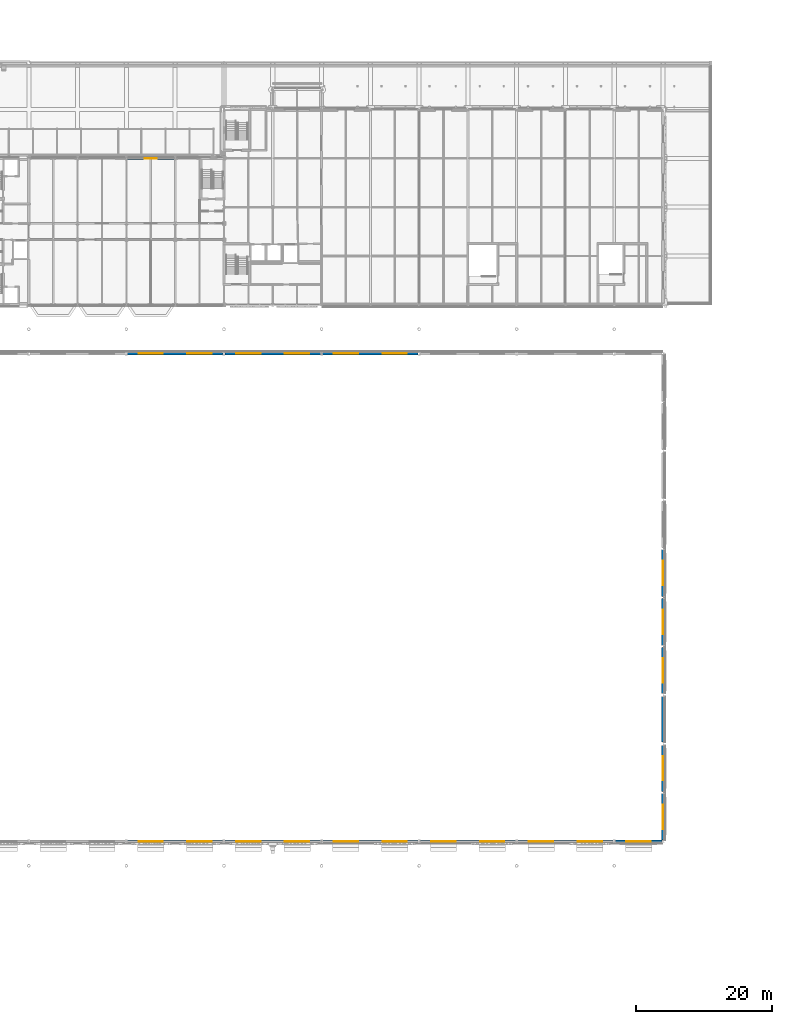
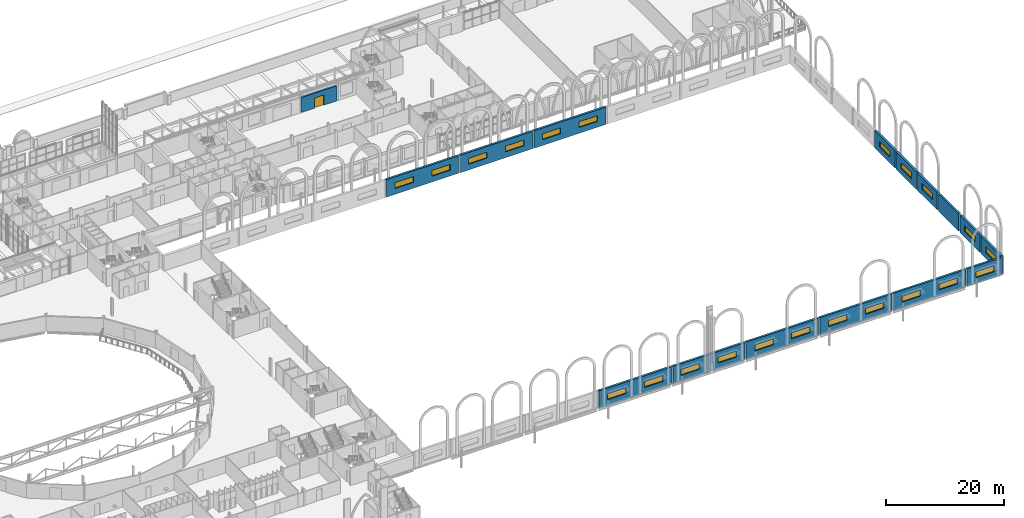
# One storey, part 81 of 143: 22 windows, 16 walls, 1 door, 23 openings.
"""IFC4 building model written with IfcOpenShell, lengths in metres."""

from ifc_helpers import new_model, si_unit, direction, frame, frame_2d, origin, place, context, subcontext, project, spatial, rectangle, extrude, material, layer, layer_set, type_object, element, fill, save


model = new_model("IFC4")

# Units and contexts
model_context = context("Model", 3, precision=1e-05, world=origin(), true_north=direction((0.0, 1.0)))
body_context = subcontext(model_context, "Body", "Model", "MODEL_VIEW")
ifc_project = project(units=[si_unit("LENGTHUNIT", "METRE"), si_unit("AREAUNIT", "SQUARE_METRE"), si_unit("VOLUMEUNIT", "CUBIC_METRE"), si_unit("PLANEANGLEUNIT", "RADIAN"), si_unit("MASSUNIT", "GRAM", prefix="KILO")], contexts=[model_context])

# Site, building, storey
site_placement = place(None, origin())
site = spatial("IfcSite", under=ifc_project, at=site_placement, CompositionType="ELEMENT")
building_placement = place(site_placement, origin())
building = spatial("IfcBuilding", under=site, at=building_placement, Name="Kupolbacken Congress Centre", CompositionType="ELEMENT")
storey_placement = place(building_placement, frame((0.0, 0.0, 7.199951171875)))
storey = spatial("IfcBuildingStorey", under=building, at=storey_placement, Name="L02", CompositionType="ELEMENT", Elevation=7.199951171875)

# Wall, opening, door
ifc_material_1 = material(Name="Limestone", Category="masonry")
ifc_layer_1 = layer(ifc_material_1, 0.1201171875)
ifc_material_2 = material(Name="Air cavity", Category="air")
ifc_layer_2 = layer(ifc_material_2, 0.0400390625, ventilated=True)
ifc_material_3 = material(Name="Mineral wool", Category="insulation")
ifc_layer_3 = layer(ifc_material_3, 0.169921875)
ifc_material_4 = material(Name="Steel studs", Category="metal")
ifc_layer_4 = layer(ifc_material_4, 0.050048828125)
ifc_layer_set_1 = layer_set([ifc_layer_1, ifc_layer_2, ifc_layer_3, ifc_layer_4], Name="Limestone / Mineral wool / Steel studs")
wall_type_1 = type_object("IfcWallType", Name="EW03 external cavity wall 380", PredefinedType="SOLIDWALL", material=ifc_layer_set_1)
wall_1_placement = place(storey_placement, frame((129.446533203125, 144.0, 0.0), z_axis=(0.0, 0.0, 1.0), x_axis=(-1.0, 0.0, 0.0)))
wall_1 = element("IfcWall", 1, at=wall_1_placement, inside=storey, type_object=wall_type_1, Name="E/T/N/L02/015", PredefinedType="SOLIDWALL", context=body_context, shape_type="SweptSolid", body=[
    extrude(rectangle(XDim=6.89306640625, YDim=0.3798828125, at=frame_2d((3.446533203125, 0.0))), origin(), (0.0, 0.0, 1.0), 3.1201171875),
])
opening_1_placement = place(wall_1_placement, frame((2.54638671875, 0.0, 0.0)))
opening_1 = element("IfcOpeningElement", 2, at=opening_1_placement, cuts=wall_1, Name="Opening D44", PredefinedType="OPENING", context=body_context, shape_type="SweptSolid", body=[
    extrude(rectangle(XDim=1.800048828125, YDim=2.10009765625, at=frame_2d((0.89990234375, 1.050048828125))), frame((0.0, 0.199951171875, 0.0), z_axis=(0.0, -1.0, 0.0), x_axis=(1.0, 0.0, 0.0)), (0.0, 0.0, 1.0), 0.39990234375),
])
ifc_material_5 = material(Name="Steel fire door leaf", Category="steel")
door_type = type_object("IfcDoorType", Name="D44 stair door 1800x2100", OperationType="DOUBLE_DOOR_SINGLE_SWING", PredefinedType="DOOR", material=ifc_material_5)
door_placement = place(opening_1_placement, frame((1.800048828125, 0.0, 0.0), z_axis=(0.0, 0.0, 1.0), x_axis=(-1.0, 0.0, 0.0)))
door = element("IfcDoor", 3, at=door_placement, inside=storey, type_object=door_type, Name="E/T/N/L02/015/DXTS4", OperationType="DOUBLE_DOOR_SINGLE_SWING", OverallHeight=2.10009765625, OverallWidth=1.800048828125, PredefinedType="DOOR", context=body_context, shape_type="SweptSolid", body=[
    extrude(rectangle(XDim=1.800048828125, YDim=2.10009765625, at=frame_2d((0.89990234375, 1.050048828125))), frame((0.0, 0.02490234375, 0.0), z_axis=(0.0, -1.0, 0.0), x_axis=(1.0, 0.0, 0.0)), (0.0, 0.0, 1.0), 0.050048828125),
])
fill(opening_1, door)

# Wall, opening, window
ifc_material_6 = material(Name="Brick", Category="masonry")
ifc_layer_5 = layer(ifc_material_6, 0.10791015625)
ifc_layer_6 = layer(ifc_material_2, 0.0400390625, ventilated=True)
ifc_layer_7 = layer(ifc_material_3, 0.152099609375)
ifc_material_7 = material(Name="Concrete block", Category="masonry")
ifc_layer_8 = layer(ifc_material_7, 0.1201171875)
ifc_layer_set_2 = layer_set([ifc_layer_5, ifc_layer_6, ifc_layer_7, ifc_layer_8], Name="Brick / Mineral wool / Concrete block")
wall_type_2 = type_object("IfcWallType", Name="EW04 external cavity wall 420", PredefinedType="SOLIDWALL", material=ifc_layer_set_2)
wall_2_placement = place(storey_placement, frame((201.60009765625, 43.409912109375, 0.0), z_axis=(0.0, 0.0, 1.0), x_axis=(0.0, 1.0, 0.0)))
wall_2 = element("IfcWall", 4, at=wall_2_placement, inside=storey, type_object=wall_type_2, Name="E/H/E/L02/246", PredefinedType="SOLIDWALL", context=body_context, shape_type="SweptSolid", body=[
    extrude(rectangle(XDim=6.844970703125, YDim=0.419921875, at=frame_2d((3.42236328125, 0.0))), origin(), (0.0, 0.0, 1.0), 3.60009765625),
])
opening_2_placement = place(wall_2_placement, frame((1.590087890625, 0.0, 1.199951171875)))
opening_2 = element("IfcOpeningElement", 5, at=opening_2_placement, cuts=wall_2, Name="Opening W12", PredefinedType="OPENING", context=body_context, shape_type="SweptSolid", body=[
    extrude(rectangle(XDim=3.60009765625, YDim=1.199951171875, at=frame_2d((1.800048828125, 0.60009765625))), frame((0.0, 0.219970703125, 0.0), z_axis=(0.0, -1.0, 0.0), x_axis=(1.0, 0.0, 0.0)), (0.0, 0.0, 1.0), 0.43994140625),
])
ifc_material_8 = material(Name="Aluminium frame with double or triple glazing", Category="aluminium")
window_type = type_object("IfcWindowType", Name="W12 window 3600x1200", PartitioningType="TRIPLE_PANEL_VERTICAL", PredefinedType="WINDOW", material=ifc_material_8)
window_1_placement = place(opening_2_placement, origin())
window_1 = element("IfcWindow", 6, at=window_1_placement, inside=storey, type_object=window_type, Name="E/H/E/L02/246/W1", OverallHeight=1.199951171875, OverallWidth=3.60009765625, PartitioningType="SINGLE_PANEL", PredefinedType="WINDOW", context=body_context, shape_type="SweptSolid", body=[
    extrude(rectangle(XDim=3.60009765625, YDim=1.199951171875, at=frame_2d((1.800048828125, 0.60009765625))), frame((0.0, 0.030029296875, 0.0), z_axis=(0.0, -1.0, 0.0), x_axis=(1.0, 0.0, 0.0)), (0.0, 0.0, 1.0), 0.06005859375),
])
fill(opening_2, window_1)

wall_3_placement = place(storey_placement, frame((201.60009765625, 50.544921875, 0.0), z_axis=(0.0, 0.0, 1.0), x_axis=(0.0, 1.0, 0.0)))
wall_3 = element("IfcWall", 7, at=wall_3_placement, inside=storey, type_object=wall_type_2, Name="E/H/E/L02/247", PredefinedType="SOLIDWALL", context=body_context, shape_type="SweptSolid", body=[
    extrude(rectangle(XDim=6.81005859375, YDim=0.419921875, at=frame_2d((3.405029296875, 0.0))), origin(), (0.0, 0.0, 1.0), 3.60009765625),
])
opening_3_placement = place(wall_3_placement, frame((1.655029296875, 0.0, 1.199951171875)))
opening_3 = element("IfcOpeningElement", 8, at=opening_3_placement, cuts=wall_3, Name="Opening W12", PredefinedType="OPENING", context=body_context, shape_type="SweptSolid", body=[
    extrude(rectangle(XDim=3.60009765625, YDim=1.199951171875, at=frame_2d((1.800048828125, 0.60009765625))), frame((0.0, 0.219970703125, 0.0), z_axis=(0.0, -1.0, 0.0), x_axis=(1.0, 0.0, 0.0)), (0.0, 0.0, 1.0), 0.43994140625),
])
window_2_placement = place(opening_3_placement, origin())
window_2 = element("IfcWindow", 9, at=window_2_placement, inside=storey, type_object=window_type, Name="E/H/E/L02/247/W1", OverallHeight=1.199951171875, OverallWidth=3.60009765625, PartitioningType="SINGLE_PANEL", PredefinedType="WINDOW", context=body_context, shape_type="SweptSolid", body=[
    extrude(rectangle(XDim=3.60009765625, YDim=1.199951171875, at=frame_2d((1.800048828125, 0.60009765625))), frame((0.0, 0.030029296875, 0.0), z_axis=(0.0, -1.0, 0.0), x_axis=(1.0, 0.0, 0.0)), (0.0, 0.0, 1.0), 0.06005859375),
])
fill(opening_3, window_2)

# Wall
wall_4_placement = place(storey_placement, frame((201.60009765625, 57.844970703125, 0.0), z_axis=(0.0, 0.0, 1.0), x_axis=(0.0, 1.0, 0.0)))
element("IfcWall", 10, at=wall_4_placement, inside=storey, type_object=wall_type_2, Name="E/H/E/L02/248", PredefinedType="SOLIDWALL", context=body_context, shape_type="SweptSolid", body=[
    extrude(rectangle(XDim=6.7099609375, YDim=0.419921875, at=frame_2d((3.35498046875, 0.0))), origin(), (0.0, 0.0, 1.0), 3.60009765625),
])

# Wall, opening, window
wall_5_placement = place(storey_placement, frame((201.60009765625, 65.044921875, 0.0), z_axis=(0.0, 0.0, 1.0), x_axis=(0.0, 1.0, 0.0)))
wall_5 = element("IfcWall", 11, at=wall_5_placement, inside=storey, type_object=wall_type_2, Name="E/H/E/L02/249", PredefinedType="SOLIDWALL", context=body_context, shape_type="SweptSolid", body=[
    extrude(rectangle(XDim=6.81005859375, YDim=0.419921875, at=frame_2d((3.405029296875, 0.0))), origin(), (0.0, 0.0, 1.0), 3.60009765625),
])
opening_4_placement = place(wall_5_placement, frame((1.554931640625, 0.0, 1.199951171875)))
opening_4 = element("IfcOpeningElement", 12, at=opening_4_placement, cuts=wall_5, Name="Opening W12", PredefinedType="OPENING", context=body_context, shape_type="SweptSolid", body=[
    extrude(rectangle(XDim=3.60009765625, YDim=1.199951171875, at=frame_2d((1.800048828125, 0.60009765625))), frame((0.0, 0.219970703125, 0.0), z_axis=(0.0, -1.0, 0.0), x_axis=(1.0, 0.0, 0.0)), (0.0, 0.0, 1.0), 0.43994140625),
])
window_3_placement = place(opening_4_placement, origin())
window_3 = element("IfcWindow", 13, at=window_3_placement, inside=storey, type_object=window_type, Name="E/H/E/L02/249/W1", OverallHeight=1.199951171875, OverallWidth=3.60009765625, PartitioningType="SINGLE_PANEL", PredefinedType="WINDOW", context=body_context, shape_type="SweptSolid", body=[
    extrude(rectangle(XDim=3.60009765625, YDim=1.199951171875, at=frame_2d((1.800048828125, 0.60009765625))), frame((0.0, 0.030029296875, 0.0), z_axis=(0.0, -1.0, 0.0), x_axis=(1.0, 0.0, 0.0)), (0.0, 0.0, 1.0), 0.06005859375),
])
fill(opening_4, window_3)

wall_6_placement = place(storey_placement, frame((201.60009765625, 72.14501953125, 0.0), z_axis=(0.0, 0.0, 1.0), x_axis=(0.0, 1.0, 0.0)))
wall_6 = element("IfcWall", 14, at=wall_6_placement, inside=storey, type_object=wall_type_2, Name="E/H/E/L02/250", PredefinedType="SOLIDWALL", context=body_context, shape_type="SweptSolid", body=[
    extrude(rectangle(XDim=6.909912109375, YDim=0.419921875, at=frame_2d((3.455078125, 0.0))), origin(), (0.0, 0.0, 1.0), 3.60009765625),
])
opening_5_placement = place(wall_6_placement, frame((1.655029296875, 0.0, 1.199951171875)))
opening_5 = element("IfcOpeningElement", 15, at=opening_5_placement, cuts=wall_6, Name="Opening W12", PredefinedType="OPENING", context=body_context, shape_type="SweptSolid", body=[
    extrude(rectangle(XDim=3.60009765625, YDim=1.199951171875, at=frame_2d((1.800048828125, 0.60009765625))), frame((0.0, 0.219970703125, 0.0), z_axis=(0.0, -1.0, 0.0), x_axis=(1.0, 0.0, 0.0)), (0.0, 0.0, 1.0), 0.43994140625),
])
window_4_placement = place(opening_5_placement, origin())
window_4 = element("IfcWindow", 16, at=window_4_placement, inside=storey, type_object=window_type, Name="E/H/E/L02/250/W1", OverallHeight=1.199951171875, OverallWidth=3.60009765625, PartitioningType="SINGLE_PANEL", PredefinedType="WINDOW", context=body_context, shape_type="SweptSolid", body=[
    extrude(rectangle(XDim=3.60009765625, YDim=1.199951171875, at=frame_2d((1.800048828125, 0.60009765625))), frame((0.0, 0.030029296875, 0.0), z_axis=(0.0, -1.0, 0.0), x_axis=(1.0, 0.0, 0.0)), (0.0, 0.0, 1.0), 0.06005859375),
])
fill(opening_5, window_4)

wall_7_placement = place(storey_placement, frame((201.60009765625, 79.344970703125, 0.0), z_axis=(0.0, 0.0, 1.0), x_axis=(0.0, 1.0, 0.0)))
wall_7 = element("IfcWall", 17, at=wall_7_placement, inside=storey, type_object=wall_type_2, Name="E/H/E/L02/251", PredefinedType="SOLIDWALL", context=body_context, shape_type="SweptSolid", body=[
    extrude(rectangle(XDim=6.909912109375, YDim=0.419921875, at=frame_2d((3.455078125, 0.0))), origin(), (0.0, 0.0, 1.0), 3.60009765625),
])
opening_6_placement = place(wall_7_placement, frame((1.655029296875, 0.0, 1.199951171875)))
opening_6 = element("IfcOpeningElement", 18, at=opening_6_placement, cuts=wall_7, Name="Opening W12", PredefinedType="OPENING", context=body_context, shape_type="SweptSolid", body=[
    extrude(rectangle(XDim=3.60009765625, YDim=1.199951171875, at=frame_2d((1.800048828125, 0.60009765625))), frame((0.0, 0.219970703125, 0.0), z_axis=(0.0, -1.0, 0.0), x_axis=(1.0, 0.0, 0.0)), (0.0, 0.0, 1.0), 0.43994140625),
])
window_5_placement = place(opening_6_placement, origin())
window_5 = element("IfcWindow", 19, at=window_5_placement, inside=storey, type_object=window_type, Name="E/H/E/L02/251/W1", OverallHeight=1.199951171875, OverallWidth=3.60009765625, PartitioningType="SINGLE_PANEL", PredefinedType="WINDOW", context=body_context, shape_type="SweptSolid", body=[
    extrude(rectangle(XDim=3.60009765625, YDim=1.199951171875, at=frame_2d((1.800048828125, 0.60009765625))), frame((0.0, 0.030029296875, 0.0), z_axis=(0.0, -1.0, 0.0), x_axis=(1.0, 0.0, 0.0)), (0.0, 0.0, 1.0), 0.06005859375),
])
fill(opening_6, window_5)

# Wall, openings, windows
wall_8_placement = place(storey_placement, frame((165.449951171875, 115.199951171875, 0.0), z_axis=(0.0, 0.0, 1.0), x_axis=(-1.0, 0.0, 0.0)))
wall_8 = element("IfcWall", 20, at=wall_8_placement, inside=storey, type_object=wall_type_2, Name="E/H/N/L02/259", PredefinedType="SOLIDWALL", context=body_context, shape_type="SweptSolid", body=[
    extrude(rectangle(XDim=14.099853515625, YDim=0.419921875, at=frame_2d((7.0498046875, 0.0))), origin(), (0.0, 0.0, 1.0), 3.60009765625),
])
opening_7_placement = place(wall_8_placement, frame((8.85009765625, 0.0, 1.199951171875)))
opening_7 = element("IfcOpeningElement", 21, at=opening_7_placement, cuts=wall_8, Name="Opening W12", PredefinedType="OPENING", context=body_context, shape_type="SweptSolid", body=[
    extrude(rectangle(XDim=3.60009765625, YDim=1.199951171875, at=frame_2d((1.800048828125, 0.60009765625))), frame((0.0, 0.219970703125, 0.0), z_axis=(0.0, -1.0, 0.0), x_axis=(1.0, 0.0, 0.0)), (0.0, 0.0, 1.0), 0.43994140625),
])
opening_8_placement = place(wall_8_placement, frame((1.64990234375, 0.0, 1.199951171875)))
opening_8 = element("IfcOpeningElement", 22, at=opening_8_placement, cuts=wall_8, Name="Opening W12", PredefinedType="OPENING", context=body_context, shape_type="SweptSolid", body=[
    extrude(rectangle(XDim=3.60009765625, YDim=1.199951171875, at=frame_2d((1.800048828125, 0.60009765625))), frame((0.0, 0.219970703125, 0.0), z_axis=(0.0, -1.0, 0.0), x_axis=(1.0, 0.0, 0.0)), (0.0, 0.0, 1.0), 0.43994140625),
])
window_6_placement = place(opening_7_placement, origin())
window_6 = element("IfcWindow", 23, at=window_6_placement, inside=storey, type_object=window_type, Name="E/H/N/L02/259/W1", OverallHeight=1.199951171875, OverallWidth=3.60009765625, PartitioningType="SINGLE_PANEL", PredefinedType="WINDOW", context=body_context, shape_type="SweptSolid", body=[
    extrude(rectangle(XDim=3.60009765625, YDim=1.199951171875, at=frame_2d((1.800048828125, 0.60009765625))), frame((0.0, 0.030029296875, 0.0), z_axis=(0.0, -1.0, 0.0), x_axis=(1.0, 0.0, 0.0)), (0.0, 0.0, 1.0), 0.06005859375),
])
fill(opening_7, window_6)
window_7_placement = place(opening_8_placement, origin())
window_7 = element("IfcWindow", 24, at=window_7_placement, inside=storey, type_object=window_type, Name="E/H/N/L02/259/W2", OverallHeight=1.199951171875, OverallWidth=3.60009765625, PartitioningType="SINGLE_PANEL", PredefinedType="WINDOW", context=body_context, shape_type="SweptSolid", body=[
    extrude(rectangle(XDim=3.60009765625, YDim=1.199951171875, at=frame_2d((1.800048828125, 0.60009765625))), frame((0.0, 0.030029296875, 0.0), z_axis=(0.0, -1.0, 0.0), x_axis=(1.0, 0.0, 0.0)), (0.0, 0.0, 1.0), 0.06005859375),
])
fill(opening_8, window_7)

wall_9_placement = place(storey_placement, frame((151.050048828125, 115.199951171875, 0.0), z_axis=(0.0, 0.0, 1.0), x_axis=(-1.0, 0.0, 0.0)))
wall_9 = element("IfcWall", 25, at=wall_9_placement, inside=storey, type_object=wall_type_2, Name="E/H/N/L02/260", PredefinedType="SOLIDWALL", context=body_context, shape_type="SweptSolid", body=[
    extrude(rectangle(XDim=14.10009765625, YDim=0.419921875, at=frame_2d((7.050048828125, 0.0))), origin(), (0.0, 0.0, 1.0), 3.60009765625),
])
opening_9_placement = place(wall_9_placement, frame((8.85009765625, 0.0, 1.199951171875)))
opening_9 = element("IfcOpeningElement", 26, at=opening_9_placement, cuts=wall_9, Name="Opening W12", PredefinedType="OPENING", context=body_context, shape_type="SweptSolid", body=[
    extrude(rectangle(XDim=3.60009765625, YDim=1.199951171875, at=frame_2d((1.800048828125, 0.60009765625))), frame((0.0, 0.219970703125, 0.0), z_axis=(0.0, -1.0, 0.0), x_axis=(1.0, 0.0, 0.0)), (0.0, 0.0, 1.0), 0.43994140625),
])
opening_10_placement = place(wall_9_placement, frame((1.64990234375, 0.0, 1.199951171875)))
opening_10 = element("IfcOpeningElement", 27, at=opening_10_placement, cuts=wall_9, Name="Opening W12", PredefinedType="OPENING", context=body_context, shape_type="SweptSolid", body=[
    extrude(rectangle(XDim=3.60009765625, YDim=1.199951171875, at=frame_2d((1.800048828125, 0.60009765625))), frame((0.0, 0.219970703125, 0.0), z_axis=(0.0, -1.0, 0.0), x_axis=(1.0, 0.0, 0.0)), (0.0, 0.0, 1.0), 0.43994140625),
])
window_8_placement = place(opening_9_placement, origin())
window_8 = element("IfcWindow", 28, at=window_8_placement, inside=storey, type_object=window_type, Name="E/H/N/L02/260/W1", OverallHeight=1.199951171875, OverallWidth=3.60009765625, PartitioningType="SINGLE_PANEL", PredefinedType="WINDOW", context=body_context, shape_type="SweptSolid", body=[
    extrude(rectangle(XDim=3.60009765625, YDim=1.199951171875, at=frame_2d((1.800048828125, 0.60009765625))), frame((0.0, 0.030029296875, 0.0), z_axis=(0.0, -1.0, 0.0), x_axis=(1.0, 0.0, 0.0)), (0.0, 0.0, 1.0), 0.06005859375),
])
fill(opening_9, window_8)
window_9_placement = place(opening_10_placement, origin())
window_9 = element("IfcWindow", 29, at=window_9_placement, inside=storey, type_object=window_type, Name="E/H/N/L02/260/W2", OverallHeight=1.199951171875, OverallWidth=3.60009765625, PartitioningType="SINGLE_PANEL", PredefinedType="WINDOW", context=body_context, shape_type="SweptSolid", body=[
    extrude(rectangle(XDim=3.60009765625, YDim=1.199951171875, at=frame_2d((1.800048828125, 0.60009765625))), frame((0.0, 0.030029296875, 0.0), z_axis=(0.0, -1.0, 0.0), x_axis=(1.0, 0.0, 0.0)), (0.0, 0.0, 1.0), 0.06005859375),
])
fill(opening_10, window_9)

wall_10_placement = place(storey_placement, frame((136.64990234375, 115.199951171875, 0.0), z_axis=(0.0, 0.0, 1.0), x_axis=(-1.0, 0.0, 0.0)))
wall_10 = element("IfcWall", 30, at=wall_10_placement, inside=storey, type_object=wall_type_2, Name="E/H/N/L02/261", PredefinedType="SOLIDWALL", context=body_context, shape_type="SweptSolid", body=[
    extrude(rectangle(XDim=14.099853515625, YDim=0.419921875, at=frame_2d((7.0498046875, 0.0))), origin(), (0.0, 0.0, 1.0), 3.60009765625),
])
opening_11_placement = place(wall_10_placement, frame((8.85009765625, 0.0, 1.199951171875)))
opening_11 = element("IfcOpeningElement", 31, at=opening_11_placement, cuts=wall_10, Name="Opening W12", PredefinedType="OPENING", context=body_context, shape_type="SweptSolid", body=[
    extrude(rectangle(XDim=3.60009765625, YDim=1.199951171875, at=frame_2d((1.800048828125, 0.60009765625))), frame((0.0, 0.219970703125, 0.0), z_axis=(0.0, -1.0, 0.0), x_axis=(1.0, 0.0, 0.0)), (0.0, 0.0, 1.0), 0.43994140625),
])
opening_12_placement = place(wall_10_placement, frame((1.64990234375, 0.0, 1.199951171875)))
opening_12 = element("IfcOpeningElement", 32, at=opening_12_placement, cuts=wall_10, Name="Opening W12", PredefinedType="OPENING", context=body_context, shape_type="SweptSolid", body=[
    extrude(rectangle(XDim=3.60009765625, YDim=1.199951171875, at=frame_2d((1.800048828125, 0.60009765625))), frame((0.0, 0.219970703125, 0.0), z_axis=(0.0, -1.0, 0.0), x_axis=(1.0, 0.0, 0.0)), (0.0, 0.0, 1.0), 0.43994140625),
])
window_10_placement = place(opening_11_placement, origin())
window_10 = element("IfcWindow", 33, at=window_10_placement, inside=storey, type_object=window_type, Name="E/H/N/L02/261/W1", OverallHeight=1.199951171875, OverallWidth=3.60009765625, PartitioningType="SINGLE_PANEL", PredefinedType="WINDOW", context=body_context, shape_type="SweptSolid", body=[
    extrude(rectangle(XDim=3.60009765625, YDim=1.199951171875, at=frame_2d((1.800048828125, 0.60009765625))), frame((0.0, 0.030029296875, 0.0), z_axis=(0.0, -1.0, 0.0), x_axis=(1.0, 0.0, 0.0)), (0.0, 0.0, 1.0), 0.06005859375),
])
fill(opening_11, window_10)
window_11_placement = place(opening_12_placement, origin())
window_11 = element("IfcWindow", 34, at=window_11_placement, inside=storey, type_object=window_type, Name="E/H/N/L02/261/W2", OverallHeight=1.199951171875, OverallWidth=3.60009765625, PartitioningType="SINGLE_PANEL", PredefinedType="WINDOW", context=body_context, shape_type="SweptSolid", body=[
    extrude(rectangle(XDim=3.60009765625, YDim=1.199951171875, at=frame_2d((1.800048828125, 0.60009765625))), frame((0.0, 0.030029296875, 0.0), z_axis=(0.0, -1.0, 0.0), x_axis=(1.0, 0.0, 0.0)), (0.0, 0.0, 1.0), 0.06005859375),
])
fill(opening_12, window_11)

wall_11_placement = place(storey_placement, frame((122.550048828125, 43.199951171875, 0.0), z_axis=(0.0, 0.0, 1.0), x_axis=(1.0, 0.0, 0.0)))
wall_11 = element("IfcWall", 35, at=wall_11_placement, inside=storey, type_object=wall_type_2, Name="E/H/S/L02/268", PredefinedType="SOLIDWALL", context=body_context, shape_type="SweptSolid", body=[
    extrude(rectangle(XDim=14.099853515625, YDim=0.419921875, at=frame_2d((7.0498046875, 0.0))), origin(), (0.0, 0.0, 1.0), 3.60009765625),
])
opening_13_placement = place(wall_11_placement, frame((1.64990234375, 0.0, 1.199951171875)))
opening_13 = element("IfcOpeningElement", 36, at=opening_13_placement, cuts=wall_11, Name="Opening W12", PredefinedType="OPENING", context=body_context, shape_type="SweptSolid", body=[
    extrude(rectangle(XDim=3.60009765625, YDim=1.199951171875, at=frame_2d((1.800048828125, 0.60009765625))), frame((0.0, 0.219970703125, 0.0), z_axis=(0.0, -1.0, 0.0), x_axis=(1.0, 0.0, 0.0)), (0.0, 0.0, 1.0), 0.43994140625),
])
opening_14_placement = place(wall_11_placement, frame((8.85009765625, 0.0, 1.199951171875)))
opening_14 = element("IfcOpeningElement", 37, at=opening_14_placement, cuts=wall_11, Name="Opening W12", PredefinedType="OPENING", context=body_context, shape_type="SweptSolid", body=[
    extrude(rectangle(XDim=3.60009765625, YDim=1.199951171875, at=frame_2d((1.800048828125, 0.60009765625))), frame((0.0, 0.219970703125, 0.0), z_axis=(0.0, -1.0, 0.0), x_axis=(1.0, 0.0, 0.0)), (0.0, 0.0, 1.0), 0.43994140625),
])
window_12_placement = place(opening_13_placement, origin())
window_12 = element("IfcWindow", 38, at=window_12_placement, inside=storey, type_object=window_type, Name="E/H/S/L02/268/W1", OverallHeight=1.199951171875, OverallWidth=3.60009765625, PartitioningType="SINGLE_PANEL", PredefinedType="WINDOW", context=body_context, shape_type="SweptSolid", body=[
    extrude(rectangle(XDim=3.60009765625, YDim=1.199951171875, at=frame_2d((1.800048828125, 0.60009765625))), frame((0.0, 0.030029296875, 0.0), z_axis=(0.0, -1.0, 0.0), x_axis=(1.0, 0.0, 0.0)), (0.0, 0.0, 1.0), 0.06005859375),
])
fill(opening_13, window_12)
window_13_placement = place(opening_14_placement, origin())
window_13 = element("IfcWindow", 39, at=window_13_placement, inside=storey, type_object=window_type, Name="E/H/S/L02/268/W2", OverallHeight=1.199951171875, OverallWidth=3.60009765625, PartitioningType="SINGLE_PANEL", PredefinedType="WINDOW", context=body_context, shape_type="SweptSolid", body=[
    extrude(rectangle(XDim=3.60009765625, YDim=1.199951171875, at=frame_2d((1.800048828125, 0.60009765625))), frame((0.0, 0.030029296875, 0.0), z_axis=(0.0, -1.0, 0.0), x_axis=(1.0, 0.0, 0.0)), (0.0, 0.0, 1.0), 0.06005859375),
])
fill(opening_14, window_13)

wall_12_placement = place(storey_placement, frame((136.949951171875, 43.199951171875, 0.0), z_axis=(0.0, 0.0, 1.0), x_axis=(1.0, 0.0, 0.0)))
wall_12 = element("IfcWall", 40, at=wall_12_placement, inside=storey, type_object=wall_type_2, Name="E/H/S/L02/269", PredefinedType="SOLIDWALL", context=body_context, shape_type="SweptSolid", body=[
    extrude(rectangle(XDim=14.10009765625, YDim=0.419921875, at=frame_2d((7.050048828125, 0.0))), origin(), (0.0, 0.0, 1.0), 3.60009765625),
])
opening_15_placement = place(wall_12_placement, frame((1.64990234375, 0.0, 1.199951171875)))
opening_15 = element("IfcOpeningElement", 41, at=opening_15_placement, cuts=wall_12, Name="Opening W12", PredefinedType="OPENING", context=body_context, shape_type="SweptSolid", body=[
    extrude(rectangle(XDim=3.60009765625, YDim=1.199951171875, at=frame_2d((1.800048828125, 0.60009765625))), frame((0.0, 0.219970703125, 0.0), z_axis=(0.0, -1.0, 0.0), x_axis=(1.0, 0.0, 0.0)), (0.0, 0.0, 1.0), 0.43994140625),
])
opening_16_placement = place(wall_12_placement, frame((8.85009765625, 0.0, 1.199951171875)))
opening_16 = element("IfcOpeningElement", 42, at=opening_16_placement, cuts=wall_12, Name="Opening W12", PredefinedType="OPENING", context=body_context, shape_type="SweptSolid", body=[
    extrude(rectangle(XDim=3.60009765625, YDim=1.199951171875, at=frame_2d((1.800048828125, 0.60009765625))), frame((0.0, 0.219970703125, 0.0), z_axis=(0.0, -1.0, 0.0), x_axis=(1.0, 0.0, 0.0)), (0.0, 0.0, 1.0), 0.43994140625),
])
window_14_placement = place(opening_15_placement, origin())
window_14 = element("IfcWindow", 43, at=window_14_placement, inside=storey, type_object=window_type, Name="E/H/S/L02/269/W1", OverallHeight=1.199951171875, OverallWidth=3.60009765625, PartitioningType="SINGLE_PANEL", PredefinedType="WINDOW", context=body_context, shape_type="SweptSolid", body=[
    extrude(rectangle(XDim=3.60009765625, YDim=1.199951171875, at=frame_2d((1.800048828125, 0.60009765625))), frame((0.0, 0.030029296875, 0.0), z_axis=(0.0, -1.0, 0.0), x_axis=(1.0, 0.0, 0.0)), (0.0, 0.0, 1.0), 0.06005859375),
])
fill(opening_15, window_14)
window_15_placement = place(opening_16_placement, origin())
window_15 = element("IfcWindow", 44, at=window_15_placement, inside=storey, type_object=window_type, Name="E/H/S/L02/269/W2", OverallHeight=1.199951171875, OverallWidth=3.60009765625, PartitioningType="SINGLE_PANEL", PredefinedType="WINDOW", context=body_context, shape_type="SweptSolid", body=[
    extrude(rectangle(XDim=3.60009765625, YDim=1.199951171875, at=frame_2d((1.800048828125, 0.60009765625))), frame((0.0, 0.030029296875, 0.0), z_axis=(0.0, -1.0, 0.0), x_axis=(1.0, 0.0, 0.0)), (0.0, 0.0, 1.0), 0.06005859375),
])
fill(opening_16, window_15)

wall_13_placement = place(storey_placement, frame((151.35009765625, 43.199951171875, 0.0), z_axis=(0.0, 0.0, 1.0), x_axis=(1.0, 0.0, 0.0)))
wall_13 = element("IfcWall", 45, at=wall_13_placement, inside=storey, type_object=wall_type_2, Name="E/H/S/L02/270", PredefinedType="SOLIDWALL", context=body_context, shape_type="SweptSolid", body=[
    extrude(rectangle(XDim=14.099853515625, YDim=0.419921875, at=frame_2d((7.0498046875, 0.0))), origin(), (0.0, 0.0, 1.0), 3.60009765625),
])
opening_17_placement = place(wall_13_placement, frame((1.64990234375, 0.0, 1.199951171875)))
opening_17 = element("IfcOpeningElement", 46, at=opening_17_placement, cuts=wall_13, Name="Opening W12", PredefinedType="OPENING", context=body_context, shape_type="SweptSolid", body=[
    extrude(rectangle(XDim=3.60009765625, YDim=1.199951171875, at=frame_2d((1.800048828125, 0.60009765625))), frame((0.0, 0.219970703125, 0.0), z_axis=(0.0, -1.0, 0.0), x_axis=(1.0, 0.0, 0.0)), (0.0, 0.0, 1.0), 0.43994140625),
])
opening_18_placement = place(wall_13_placement, frame((8.85009765625, 0.0, 1.199951171875)))
opening_18 = element("IfcOpeningElement", 47, at=opening_18_placement, cuts=wall_13, Name="Opening W12", PredefinedType="OPENING", context=body_context, shape_type="SweptSolid", body=[
    extrude(rectangle(XDim=3.60009765625, YDim=1.199951171875, at=frame_2d((1.800048828125, 0.60009765625))), frame((0.0, 0.219970703125, 0.0), z_axis=(0.0, -1.0, 0.0), x_axis=(1.0, 0.0, 0.0)), (0.0, 0.0, 1.0), 0.43994140625),
])
window_16_placement = place(opening_17_placement, origin())
window_16 = element("IfcWindow", 48, at=window_16_placement, inside=storey, type_object=window_type, Name="E/H/S/L02/270/W1", OverallHeight=1.199951171875, OverallWidth=3.60009765625, PartitioningType="SINGLE_PANEL", PredefinedType="WINDOW", context=body_context, shape_type="SweptSolid", body=[
    extrude(rectangle(XDim=3.60009765625, YDim=1.199951171875, at=frame_2d((1.800048828125, 0.60009765625))), frame((0.0, 0.030029296875, 0.0), z_axis=(0.0, -1.0, 0.0), x_axis=(1.0, 0.0, 0.0)), (0.0, 0.0, 1.0), 0.06005859375),
])
fill(opening_17, window_16)
window_17_placement = place(opening_18_placement, origin())
window_17 = element("IfcWindow", 49, at=window_17_placement, inside=storey, type_object=window_type, Name="E/H/S/L02/270/W2", OverallHeight=1.199951171875, OverallWidth=3.60009765625, PartitioningType="SINGLE_PANEL", PredefinedType="WINDOW", context=body_context, shape_type="SweptSolid", body=[
    extrude(rectangle(XDim=3.60009765625, YDim=1.199951171875, at=frame_2d((1.800048828125, 0.60009765625))), frame((0.0, 0.030029296875, 0.0), z_axis=(0.0, -1.0, 0.0), x_axis=(1.0, 0.0, 0.0)), (0.0, 0.0, 1.0), 0.06005859375),
])
fill(opening_18, window_17)

wall_14_placement = place(storey_placement, frame((165.75, 43.199951171875, 0.0), z_axis=(0.0, 0.0, 1.0), x_axis=(1.0, 0.0, 0.0)))
wall_14 = element("IfcWall", 50, at=wall_14_placement, inside=storey, type_object=wall_type_2, Name="E/H/S/L02/271", PredefinedType="SOLIDWALL", context=body_context, shape_type="SweptSolid", body=[
    extrude(rectangle(XDim=14.10009765625, YDim=0.419921875, at=frame_2d((7.050048828125, 0.0))), origin(), (0.0, 0.0, 1.0), 3.60009765625),
])
opening_19_placement = place(wall_14_placement, frame((1.64990234375, 0.0, 1.199951171875)))
opening_19 = element("IfcOpeningElement", 51, at=opening_19_placement, cuts=wall_14, Name="Opening W12", PredefinedType="OPENING", context=body_context, shape_type="SweptSolid", body=[
    extrude(rectangle(XDim=3.60009765625, YDim=1.199951171875, at=frame_2d((1.800048828125, 0.60009765625))), frame((0.0, 0.219970703125, 0.0), z_axis=(0.0, -1.0, 0.0), x_axis=(1.0, 0.0, 0.0)), (0.0, 0.0, 1.0), 0.43994140625),
])
opening_20_placement = place(wall_14_placement, frame((8.85009765625, 0.0, 1.199951171875)))
opening_20 = element("IfcOpeningElement", 52, at=opening_20_placement, cuts=wall_14, Name="Opening W12", PredefinedType="OPENING", context=body_context, shape_type="SweptSolid", body=[
    extrude(rectangle(XDim=3.60009765625, YDim=1.199951171875, at=frame_2d((1.800048828125, 0.60009765625))), frame((0.0, 0.219970703125, 0.0), z_axis=(0.0, -1.0, 0.0), x_axis=(1.0, 0.0, 0.0)), (0.0, 0.0, 1.0), 0.43994140625),
])
window_18_placement = place(opening_19_placement, origin())
window_18 = element("IfcWindow", 53, at=window_18_placement, inside=storey, type_object=window_type, Name="E/H/S/L02/271/W1", OverallHeight=1.199951171875, OverallWidth=3.60009765625, PartitioningType="SINGLE_PANEL", PredefinedType="WINDOW", context=body_context, shape_type="SweptSolid", body=[
    extrude(rectangle(XDim=3.60009765625, YDim=1.199951171875, at=frame_2d((1.800048828125, 0.60009765625))), frame((0.0, 0.030029296875, 0.0), z_axis=(0.0, -1.0, 0.0), x_axis=(1.0, 0.0, 0.0)), (0.0, 0.0, 1.0), 0.06005859375),
])
fill(opening_19, window_18)
window_19_placement = place(opening_20_placement, origin())
window_19 = element("IfcWindow", 54, at=window_19_placement, inside=storey, type_object=window_type, Name="E/H/S/L02/271/W2", OverallHeight=1.199951171875, OverallWidth=3.60009765625, PartitioningType="SINGLE_PANEL", PredefinedType="WINDOW", context=body_context, shape_type="SweptSolid", body=[
    extrude(rectangle(XDim=3.60009765625, YDim=1.199951171875, at=frame_2d((1.800048828125, 0.60009765625))), frame((0.0, 0.030029296875, 0.0), z_axis=(0.0, -1.0, 0.0), x_axis=(1.0, 0.0, 0.0)), (0.0, 0.0, 1.0), 0.06005859375),
])
fill(opening_20, window_19)

wall_15_placement = place(storey_placement, frame((180.14990234375, 43.199951171875, 0.0), z_axis=(0.0, 0.0, 1.0), x_axis=(1.0, 0.0, 0.0)))
wall_15 = element("IfcWall", 55, at=wall_15_placement, inside=storey, type_object=wall_type_2, Name="E/H/S/L02/272", PredefinedType="SOLIDWALL", context=body_context, shape_type="SweptSolid", body=[
    extrude(rectangle(XDim=14.10009765625, YDim=0.419921875, at=frame_2d((7.050048828125, 0.0))), origin(), (0.0, 0.0, 1.0), 3.60009765625),
])
opening_21_placement = place(wall_15_placement, frame((1.64990234375, 0.0, 1.199951171875)))
opening_21 = element("IfcOpeningElement", 56, at=opening_21_placement, cuts=wall_15, Name="Opening W12", PredefinedType="OPENING", context=body_context, shape_type="SweptSolid", body=[
    extrude(rectangle(XDim=3.60009765625, YDim=1.199951171875, at=frame_2d((1.800048828125, 0.60009765625))), frame((0.0, 0.219970703125, 0.0), z_axis=(0.0, -1.0, 0.0), x_axis=(1.0, 0.0, 0.0)), (0.0, 0.0, 1.0), 0.43994140625),
])
opening_22_placement = place(wall_15_placement, frame((8.85009765625, 0.0, 1.199951171875)))
opening_22 = element("IfcOpeningElement", 57, at=opening_22_placement, cuts=wall_15, Name="Opening W12", PredefinedType="OPENING", context=body_context, shape_type="SweptSolid", body=[
    extrude(rectangle(XDim=3.60009765625, YDim=1.199951171875, at=frame_2d((1.800048828125, 0.60009765625))), frame((0.0, 0.219970703125, 0.0), z_axis=(0.0, -1.0, 0.0), x_axis=(1.0, 0.0, 0.0)), (0.0, 0.0, 1.0), 0.43994140625),
])
window_20_placement = place(opening_21_placement, origin())
window_20 = element("IfcWindow", 58, at=window_20_placement, inside=storey, type_object=window_type, Name="E/H/S/L02/272/W1", OverallHeight=1.199951171875, OverallWidth=3.60009765625, PartitioningType="SINGLE_PANEL", PredefinedType="WINDOW", context=body_context, shape_type="SweptSolid", body=[
    extrude(rectangle(XDim=3.60009765625, YDim=1.199951171875, at=frame_2d((1.800048828125, 0.60009765625))), frame((0.0, 0.030029296875, 0.0), z_axis=(0.0, -1.0, 0.0), x_axis=(1.0, 0.0, 0.0)), (0.0, 0.0, 1.0), 0.06005859375),
])
fill(opening_21, window_20)
window_21_placement = place(opening_22_placement, origin())
window_21 = element("IfcWindow", 59, at=window_21_placement, inside=storey, type_object=window_type, Name="E/H/S/L02/272/W2", OverallHeight=1.199951171875, OverallWidth=3.60009765625, PartitioningType="SINGLE_PANEL", PredefinedType="WINDOW", context=body_context, shape_type="SweptSolid", body=[
    extrude(rectangle(XDim=3.60009765625, YDim=1.199951171875, at=frame_2d((1.800048828125, 0.60009765625))), frame((0.0, 0.030029296875, 0.0), z_axis=(0.0, -1.0, 0.0), x_axis=(1.0, 0.0, 0.0)), (0.0, 0.0, 1.0), 0.06005859375),
])
fill(opening_22, window_21)

# Wall, opening, window
wall_16_placement = place(storey_placement, frame((194.550048828125, 43.199951171875, 0.0), z_axis=(0.0, 0.0, 1.0), x_axis=(1.0, 0.0, 0.0)))
wall_16 = element("IfcWall", 60, at=wall_16_placement, inside=storey, type_object=wall_type_2, Name="E/H/S/L02/273", PredefinedType="SOLIDWALL", context=body_context, shape_type="SweptSolid", body=[
    extrude(rectangle(XDim=6.89990234375, YDim=0.419921875, at=frame_2d((3.449951171875, 0.0))), origin(), (0.0, 0.0, 1.0), 3.60009765625),
])
opening_23_placement = place(wall_16_placement, frame((1.64990234375, 0.0, 1.199951171875)))
opening_23 = element("IfcOpeningElement", 61, at=opening_23_placement, cuts=wall_16, Name="Opening W12", PredefinedType="OPENING", context=body_context, shape_type="SweptSolid", body=[
    extrude(rectangle(XDim=3.60009765625, YDim=1.199951171875, at=frame_2d((1.800048828125, 0.60009765625))), frame((0.0, 0.219970703125, 0.0), z_axis=(0.0, -1.0, 0.0), x_axis=(1.0, 0.0, 0.0)), (0.0, 0.0, 1.0), 0.43994140625),
])
window_22_placement = place(opening_23_placement, origin())
window_22 = element("IfcWindow", 62, at=window_22_placement, inside=storey, type_object=window_type, Name="E/H/S/L02/273/W1", OverallHeight=1.199951171875, OverallWidth=3.60009765625, PartitioningType="SINGLE_PANEL", PredefinedType="WINDOW", context=body_context, shape_type="SweptSolid", body=[
    extrude(rectangle(XDim=3.60009765625, YDim=1.199951171875, at=frame_2d((1.800048828125, 0.60009765625))), frame((0.0, 0.030029296875, 0.0), z_axis=(0.0, -1.0, 0.0), x_axis=(1.0, 0.0, 0.0)), (0.0, 0.0, 1.0), 0.06005859375),
])
fill(opening_23, window_22)

save(model, "model.ifc")
